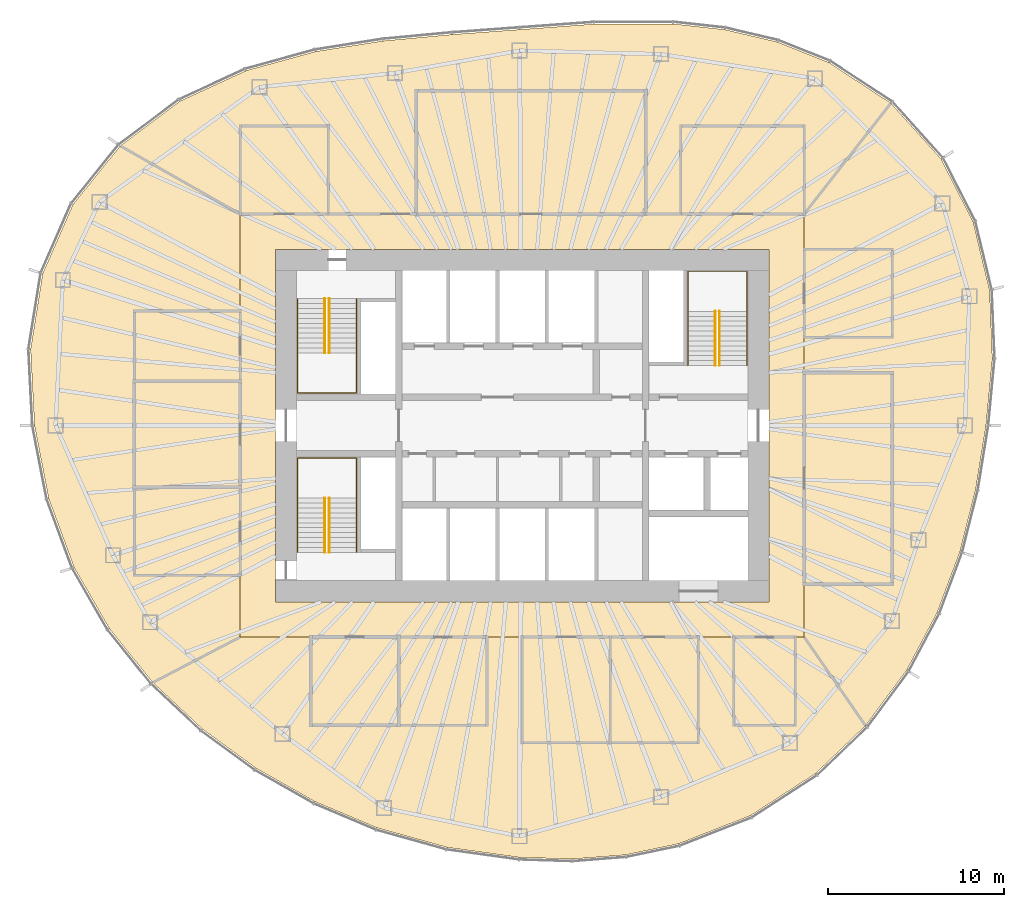
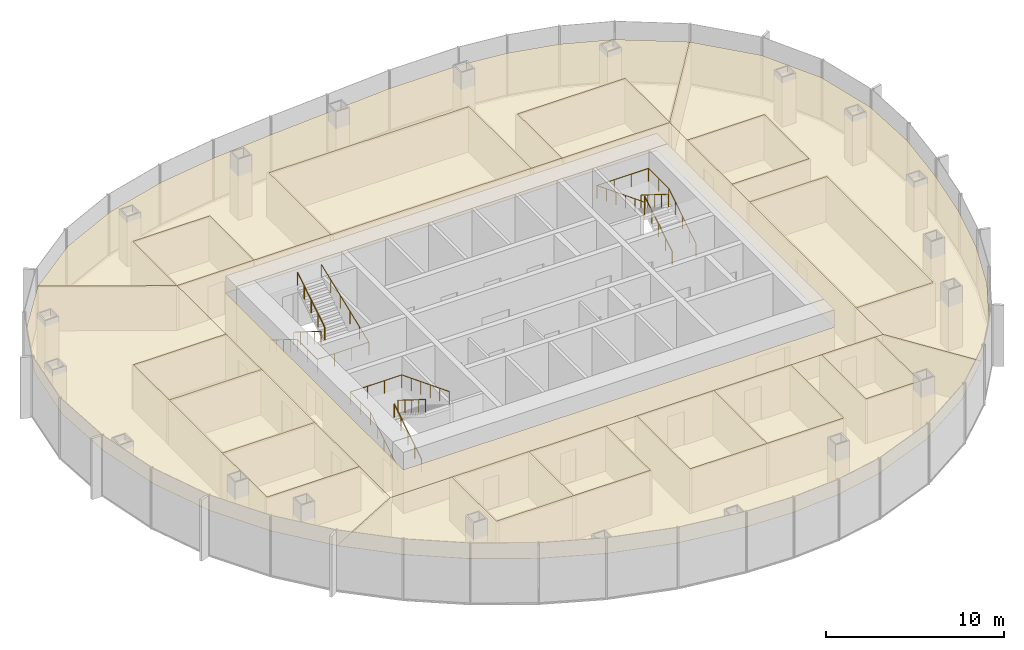
# One storey, part 11 of 11: 18 coverings, 9 railings.
"""IFC4 building model written with IfcOpenShell, lengths in metres."""

import ifcopenshell
import ifcopenshell.guid

model = None  # the IFC model being written
_history = None  # IfcOwnerHistory: only IFC2X3 demands one
_inside = {}  # id of a spatial element -> (the spatial element, [elements in it])
_under = {}  # id of a project, library or spatial element -> (it, [spatial elements below it])
_declared = {}  # id of a project -> (the project, [libraries it declares])
_typed = {}  # id of a type object -> (the type object, [elements of that type])
_made_of = {}  # id of a material, layer set ... -> (it, [elements and type objects made of it])


def new_model(schema):
    """Start an empty IFC model of exactly this schema.

    Asked for "IFC4X3", IfcOpenShell would pick the latest addendum, in which some entities
    have other attributes; the version numbers below select the first issue.
    IFC2X3 requires an IfcOwnerHistory on every rooted entity: one is made here for all.
    """
    global model, _history
    if schema == "IFC4X3":
        model = ifcopenshell.file(schema_version=(4, 3, 0, 0))
    else:
        model = ifcopenshell.file(schema=schema)
    _inside.clear()
    _under.clear()
    _declared.clear()
    _typed.clear()
    _made_of.clear()
    _history = None
    if model.schema == "IFC2X3":
        org = make("IfcOrganization", Name="unknown")
        user = make(
            "IfcPersonAndOrganization",
            ThePerson=make("IfcPerson", FamilyName="unknown"),
            TheOrganization=org,
        )
        app = make(
            "IfcApplication",
            ApplicationDeveloper=org,
            Version="unknown",
            ApplicationFullName="unknown",
            ApplicationIdentifier="unknown",
        )
        _history = make(
            "IfcOwnerHistory",
            OwningUser=user,
            OwningApplication=app,
            ChangeAction="ADDED",
            CreationDate=0,
        )
    return model


def make(cls, **values):
    """One entity of the class cls with the attributes given. An attribute that is None is left unset."""
    return model.create_entity(
        cls, **{name: value for name, value in values.items() if value is not None}
    )


def rooted(cls, **values):
    """An entity with a GlobalId (a new one), such as an element, a storey or a relation."""
    return make(cls, GlobalId=ifcopenshell.guid.new(), OwnerHistory=_history, **values)


def si_unit(unit_type, name, prefix=None):
    """IfcSIUnit, for example si_unit("LENGTHUNIT", "METRE", prefix="MILLI")."""
    return make("IfcSIUnit", UnitType=unit_type, Prefix=prefix, Name=name)


def assignment(units):
    """IfcUnitAssignment: the units of a project."""
    return None if units is None else make("IfcUnitAssignment", Units=units)


def point(xyz):
    """IfcCartesianPoint."""
    return None if xyz is None else make("IfcCartesianPoint", Coordinates=xyz)


def direction(xyz):
    """IfcDirection."""
    return None if xyz is None else make("IfcDirection", DirectionRatios=xyz)


def frame(location, z_axis=None, x_axis=None):
    """IfcAxis2Placement3D, a coordinate frame: its origin and axes. An axis left out is left unset."""
    return make(
        "IfcAxis2Placement3D",
        Location=point(location),
        Axis=direction(z_axis),
        RefDirection=direction(x_axis),
    )


def frame_2d(location, x_axis=None):
    """IfcAxis2Placement2D, a coordinate frame in the plane: its origin and x axis."""
    return make(
        "IfcAxis2Placement2D", Location=point(location), RefDirection=direction(x_axis)
    )


def origin():
    """The frame at (0, 0, 0) with its axes left unset."""
    return frame((0.0, 0.0, 0.0))


def origin_2d():
    """The frame at (0, 0) in the plane with its x axis left unset."""
    return frame_2d((0.0, 0.0))


def place(relative_to, where):
    """IfcLocalPlacement: puts the frame where relative to a parent placement (None: the world)."""
    return make(
        "IfcLocalPlacement", PlacementRelTo=relative_to, RelativePlacement=where
    )


def context(
    kind, dimensions, precision=None, world=None, true_north=None, identifier=None
):
    """IfcGeometricRepresentationContext, for example the 3D "Model" context."""
    return make(
        "IfcGeometricRepresentationContext",
        ContextIdentifier=identifier,
        ContextType=kind,
        CoordinateSpaceDimension=dimensions,
        Precision=precision,
        WorldCoordinateSystem=world,
        TrueNorth=true_north,
    )


def subcontext(parent, identifier, kind, view, scale=None):
    """IfcGeometricRepresentationSubContext, for example "Body" below "Model"."""
    return make(
        "IfcGeometricRepresentationSubContext",
        ContextIdentifier=identifier,
        ContextType=kind,
        ParentContext=parent,
        TargetScale=scale,
        TargetView=view,
    )


def project(units=None, contexts=None):
    """IfcProject with its units and contexts."""
    return rooted(
        "IfcProject",
        Name="project",
        RepresentationContexts=contexts,
        UnitsInContext=assignment(units),
    )


def spatial(cls, under=None, at=None, **own):
    """A site, building, storey or space (cls), placed at a placement, below another one or the project."""
    s = rooted(cls, ObjectPlacement=at, **own)
    if under is not None:
        _under.setdefault(under.id(), (under, []))[1].append(s)
    return s


def polyline(points):
    """IfcPolyline through the points."""
    return make("IfcPolyline", Points=[point(p) for p in points])


def profile(cls, at=None, kind="AREA", **sizes):
    """A parametric profile (cls). Its sizes go by their IFC names, for example OverallWidth=200.0."""
    return make(cls, ProfileType=kind, Position=at, **sizes)


def circle(**sizes):
    """IfcCircleProfileDef."""
    return profile("IfcCircleProfileDef", **sizes)


def outline(outer, holes=None, kind="AREA"):
    """IfcArbitraryClosedProfileDef: a profile drawn as a closed curve; with holes, ...WithVoids."""
    if holes is None:
        return make("IfcArbitraryClosedProfileDef", ProfileType=kind, OuterCurve=outer)
    return make(
        "IfcArbitraryProfileDefWithVoids",
        ProfileType=kind,
        OuterCurve=outer,
        InnerCurves=holes,
    )


def extrude(swept, where, along, depth):
    """IfcExtrudedAreaSolid: the profile swept, set in the frame where, extruded along a direction by depth."""
    return make(
        "IfcExtrudedAreaSolid",
        SweptArea=swept,
        Position=where,
        ExtrudedDirection=direction(along),
        Depth=depth,
    )


def shape(context_of_items, identifier, shape_type, items):
    """IfcShapeRepresentation: the items that make up one representation, for example the "Body"."""
    return make(
        "IfcShapeRepresentation",
        ContextOfItems=context_of_items,
        RepresentationIdentifier=identifier,
        RepresentationType=shape_type,
        Items=items,
    )


def material(Name=None, Category=None):
    """IfcMaterial."""
    return make("IfcMaterial", Name=Name, Category=Category)


def layer(
    of_material, thickness, ventilated=None, Name=None, Category=None, Priority=None
):
    """IfcMaterialLayer: one layer of a wall or slab, of a material (None: an air gap)."""
    return make(
        "IfcMaterialLayer",
        Material=of_material,
        LayerThickness=thickness,
        IsVentilated=ventilated,
        Name=Name,
        Category=Category,
        Priority=Priority,
    )


def layer_set(layers, Name=None):
    """IfcMaterialLayerSet."""
    return make("IfcMaterialLayerSet", MaterialLayers=layers, LayerSetName=Name)


def made_of(thing, what):
    """Note that an element or type object is made of a material, layer set ...; save() writes the relation."""
    if what is not None:
        _made_of.setdefault(what.id(), (what, []))[1].append(thing)
    return thing


def type_object(cls, material=None, **own):
    """A type object (cls), such as IfcWallType, which elements share."""
    return made_of(rooted(cls, **own), material)


def element(
    cls,
    number,
    at=None,
    inside=None,
    cuts=None,
    type_object=None,
    material=None,
    context=None,
    identifier="Body",
    shape_type=None,
    held_by="IfcProductDefinitionShape",
    body=None,
    shapes=None,
    **own,
):
    """One element of the class cls, such as IfcWall. Its Tag is "e" and its number.

    at: its placement. inside: the storey or other place that contains it. cuts: it is an
    opening in that element (IfcRelVoidsElement). A single representation is given by context,
    identifier, shape_type and body (its items); several are given by shapes. held_by: the class
    of the entity that holds the representations. save() writes the other relations.
    """
    e = rooted(cls, Tag="e%d" % number, ObjectPlacement=at, **own)
    if body is not None:
        shapes = [shape(context, identifier, shape_type, body)]
    if shapes is not None:
        e.Representation = make(held_by, Representations=shapes)
    if inside is not None:
        _inside.setdefault(inside.id(), (inside, []))[1].append(e)
    if cuts is not None:
        rooted(
            "IfcRelVoidsElement", RelatingBuildingElement=cuts, RelatedOpeningElement=e
        )
    if type_object is not None:
        _typed.setdefault(type_object.id(), (type_object, []))[1].append(e)
    return made_of(e, material)


def aggregate(whole, parts):
    """IfcRelAggregates: a whole, such as a stair, and the parts it consists of."""
    return rooted("IfcRelAggregates", RelatingObject=whole, RelatedObjects=parts)


def save(model, path):
    """Write the relations noted so far, then the file.

    IfcRelAggregates (storeys below a building ...), IfcRelContainedInSpatialStructure (elements
    in a storey), IfcRelDefinesByType, IfcRelAssociatesMaterial and IfcRelDeclares: one each for
    every whole, place, type object, material and project.
    """
    for whole, parts in _under.values():
        aggregate(whole, parts)
    for where, things in _inside.values():
        rooted(
            "IfcRelContainedInSpatialStructure",
            RelatedElements=things,
            RelatingStructure=where,
        )
    for kind, things in _typed.values():
        rooted("IfcRelDefinesByType", RelatedObjects=things, RelatingType=kind)
    for what, things in _made_of.values():
        rooted("IfcRelAssociatesMaterial", RelatedObjects=things, RelatingMaterial=what)
    for by, libraries in _declared.values():
        rooted("IfcRelDeclares", RelatingContext=by, RelatedDefinitions=libraries)
    model.write(path)


model = new_model("IFC4")

# Units and contexts
model_context = context("Model", 3, precision=1e-05, world=origin(), true_north=direction((0.0, 1.0)))
body_context = subcontext(model_context, "Body", "Model", "MODEL_VIEW")
ifc_project = project(units=[si_unit("LENGTHUNIT", "METRE"), si_unit("AREAUNIT", "SQUARE_METRE"), si_unit("VOLUMEUNIT", "CUBIC_METRE"), si_unit("PLANEANGLEUNIT", "RADIAN"), si_unit("MASSUNIT", "GRAM", prefix="KILO")], contexts=[model_context])

# Site, building, storey
site_placement = place(None, origin())
site = spatial("IfcSite", under=ifc_project, at=site_placement, CompositionType="ELEMENT")
building_placement = place(site_placement, origin())
building = spatial("IfcBuilding", under=site, at=building_placement, Name="Ghaith Harvest Tower", CompositionType="ELEMENT")
storey_placement = place(building_placement, frame((0.0, 0.0, 262.0)))
storey = spatial("IfcBuildingStorey", under=building, at=storey_placement, Name="L58", CompositionType="ELEMENT", Elevation=262.0)

# Coverings
ifc_material_1 = material(Name="Mineral fibre ceiling tile", Category="gypsum")
ifc_layer = layer(ifc_material_1, 0.02001953125)
ifc_layer_set = layer_set([ifc_layer], Name="CEILING C1")
covering_type = type_object("IfcCoveringType", Name="CEILING C1", PredefinedType="CEILING", material=ifc_layer_set)
covering_1_placement = place(storey_placement, frame((0.0, 0.0, 3.0)))
element("IfcCovering", 1, at=covering_1_placement, inside=storey, type_object=covering_type, Name="Ceiling L58-01", PredefinedType="CEILING", context=body_context, shape_type="SweptSolid", body=[
    extrude(outline(polyline([(-6.0, 12.0), (7.0, 12.0), (7.0, 19.0), (-6.0, 19.0), (-6.0, 12.0)])), origin(), (0.0, 0.0, 1.0), 0.02001953125),
])
covering_2_placement = place(storey_placement, frame((0.0, 0.0, 3.0)))
element("IfcCovering", 2, at=covering_2_placement, inside=storey, type_object=covering_type, Name="Ceiling L58-02", PredefinedType="CEILING", context=body_context, shape_type="SweptSolid", body=[
    extrude(outline(polyline([(9.0, 12.0), (16.0, 12.0), (16.0, 17.0), (9.0, 17.0), (9.0, 12.0)])), origin(), (0.0, 0.0, 1.0), 0.02001953125),
])
covering_3_placement = place(storey_placement, frame((0.0, 0.0, 3.0)))
element("IfcCovering", 3, at=covering_3_placement, inside=storey, type_object=covering_type, Name="Ceiling L58-03", PredefinedType="CEILING", context=body_context, shape_type="SweptSolid", body=[
    extrude(outline(polyline([(-16.0, 12.0), (-11.0, 12.0), (-11.0, 17.0), (-16.0, 17.0), (-16.0, 12.0)])), origin(), (0.0, 0.0, 1.0), 0.02001953125),
])
covering_4_placement = place(storey_placement, frame((0.0, 0.0, 3.0)))
element("IfcCovering", 4, at=covering_4_placement, inside=storey, type_object=covering_type, Name="Ceiling L58-04", PredefinedType="CEILING", context=body_context, shape_type="SweptSolid", body=[
    extrude(outline(polyline([(16.0, -9.0), (21.0, -9.0), (21.0, 3.0), (16.0, 3.0), (16.0, -9.0)])), origin(), (0.0, 0.0, 1.0), 0.02001953125),
])
covering_5_placement = place(storey_placement, frame((0.0, 0.0, 3.0)))
element("IfcCovering", 5, at=covering_5_placement, inside=storey, type_object=covering_type, Name="Ceiling L58-05", PredefinedType="CEILING", context=body_context, shape_type="SweptSolid", body=[
    extrude(outline(polyline([(-12.0, -17.0), (-7.0, -17.0), (-7.0, -12.0), (-12.0, -12.0), (-12.0, -17.0)])), origin(), (0.0, 0.0, 1.0), 0.02001953125),
])
covering_6_placement = place(storey_placement, frame((0.0, 0.0, 3.0)))
element("IfcCovering", 6, at=covering_6_placement, inside=storey, type_object=covering_type, Name="Ceiling L58-06", PredefinedType="CEILING", context=body_context, shape_type="SweptSolid", body=[
    extrude(outline(polyline([(-7.0, -17.0), (-2.0, -17.0), (-2.0, -12.0), (-7.0, -12.0), (-7.0, -17.0)])), origin(), (0.0, 0.0, 1.0), 0.02001953125),
])
covering_7_placement = place(storey_placement, frame((0.0, 0.0, 3.0)))
element("IfcCovering", 7, at=covering_7_placement, inside=storey, type_object=covering_type, Name="Ceiling L58-07", PredefinedType="CEILING", context=body_context, shape_type="SweptSolid", body=[
    extrude(outline(polyline([(0.0, -18.0), (5.0, -18.0), (5.0, -12.0), (0.0, -12.0), (0.0, -18.0)])), origin(), (0.0, 0.0, 1.0), 0.02001953125),
])
covering_8_placement = place(storey_placement, frame((0.0, 0.0, 3.0)))
element("IfcCovering", 8, at=covering_8_placement, inside=storey, type_object=covering_type, Name="Ceiling L58-08", PredefinedType="CEILING", context=body_context, shape_type="SweptSolid", body=[
    extrude(outline(polyline([(5.0, -18.0), (10.0, -18.0), (10.0, -12.0), (5.0, -12.0), (5.0, -18.0)])), origin(), (0.0, 0.0, 1.0), 0.02001953125),
])
covering_9_placement = place(storey_placement, frame((0.0, 0.0, 3.0)))
element("IfcCovering", 9, at=covering_9_placement, inside=storey, type_object=covering_type, Name="Ceiling L58-09", PredefinedType="CEILING", context=body_context, shape_type="SweptSolid", body=[
    extrude(outline(polyline([(-22.0, -8.5), (-16.0, -8.5), (-16.0, -3.5), (-22.0, -3.5), (-22.0, -8.5)])), origin(), (0.0, 0.0, 1.0), 0.02001953125),
])
covering_10_placement = place(storey_placement, frame((0.0, 0.0, 3.0)))
element("IfcCovering", 10, at=covering_10_placement, inside=storey, type_object=covering_type, Name="Ceiling L58-10", PredefinedType="CEILING", context=body_context, shape_type="SweptSolid", body=[
    extrude(outline(polyline([(-22.0, -3.5), (-16.0, -3.5), (-16.0, 2.5), (-22.0, 2.5), (-22.0, -3.5)])), origin(), (0.0, 0.0, 1.0), 0.02001953125),
])
covering_11_placement = place(storey_placement, frame((0.0, 0.0, 3.0)))
element("IfcCovering", 11, at=covering_11_placement, inside=storey, type_object=covering_type, Name="Ceiling L58-11", PredefinedType="CEILING", context=body_context, shape_type="SweptSolid", body=[
    extrude(outline(polyline([(-22.0, 2.5), (-16.0, 2.5), (-16.0, 6.5), (-22.0, 6.5), (-22.0, 2.5)])), origin(), (0.0, 0.0, 1.0), 0.02001953125),
])
covering_12_placement = place(storey_placement, frame((0.0, 0.0, 3.0)))
element("IfcCovering", 12, at=covering_12_placement, inside=storey, type_object=covering_type, Name="Ceiling L58-12", PredefinedType="CEILING", context=body_context, shape_type="SweptSolid", body=[
    extrude(outline(polyline([(12.0, -17.0), (15.5, -17.0), (15.5, -12.0), (12.0, -12.0), (12.0, -17.0)])), origin(), (0.0, 0.0, 1.0), 0.02001953125),
])
covering_13_placement = place(storey_placement, frame((0.0, 0.0, 3.0)))
element("IfcCovering", 13, at=covering_13_placement, inside=storey, type_object=covering_type, Name="Ceiling L58-13", PredefinedType="CEILING", context=body_context, shape_type="SweptSolid", body=[
    extrude(outline(polyline([(16.0, 5.0), (21.0, 5.0), (21.0, 10.0), (16.0, 10.0), (16.0, 5.0)])), origin(), (0.0, 0.0, 1.0), 0.02001953125),
])
covering_14_placement = place(storey_placement, frame((0.0, 0.0, 3.0)))
element("IfcCovering", 14, at=covering_14_placement, inside=storey, type_object=covering_type, Name="Ceiling L58-C1", PredefinedType="CEILING", context=body_context, shape_type="SweptSolid", body=[
    extrude(outline(polyline([(-16.0, 12.0), (16.0, 12.0), (16.0, -12.0), (-16.0, -12.0), (-16.0, 12.0)]), holes=[polyline([(-14.0, 10.0), (-14.0, -10.0), (14.0, -10.0), (14.0, 10.0), (-14.0, 10.0)])]), origin(), (0.0, 0.0, 1.0), 0.02001953125),
])
covering_15_placement = place(storey_placement, frame((0.0, 0.0, 3.0)))
element("IfcCovering", 15, at=covering_15_placement, inside=storey, type_object=covering_type, Name="Ceiling L58-N1", PredefinedType="CEILING", context=body_context, shape_type="SweptSolid", body=[
    extrude(outline(polyline([(-19.408203125, 18.41650390625), (-15.6474609375, 20.147705078125), (-11.694580078125, 21.2314453125), (-7.8837890625, 21.827880859375), (-3.963134765625, 22.192138671875), (-0.15380859375, 22.470458984375), (4.03857421875, 22.78125), (8.522216796875, 22.796875), (11.47265625, 22.47265625), (14.460693359375, 21.771484375), (17.382080078125, 20.612548828125), (20.923095703125, 18.295166015625), (16.0, 12.0), (16.0, 17.0), (9.0, 17.0), (9.0, 12.0), (7.0, 12.0), (7.0, 19.0), (-6.0, 19.0), (-6.0, 12.0), (-11.0, 12.0), (-11.0, 17.0), (-16.0, 17.0), (-16.0, 12.0), (-22.809814453125, 15.87109375), (-19.408203125, 18.41650390625)])), origin(), (0.0, 0.0, 1.0), 0.02001953125),
])
covering_16_placement = place(storey_placement, frame((0.0, 0.0, 3.0)))
element("IfcCovering", 16, at=covering_16_placement, inside=storey, type_object=covering_type, Name="Ceiling L58-E1", PredefinedType="CEILING", context=body_context, shape_type="SweptSolid", body=[
    extrude(outline(polyline([(23.77294921875, 15.12939453125), (25.597900390625, 11.55615234375), (26.531005859375, 7.668212890625), (26.685791015625, 3.779052734375), (26.324951171875, 0.0), (25.734375, -3.644287109375), (24.840576171875, -7.179443359375), (23.548828125, -10.631103515625), (21.821533203125, -13.887451171875), (19.48388671875, -17.036865234375), (16.0, -12.0), (16.0, -9.0), (21.0, -9.0), (21.0, 3.0), (16.0, 3.0), (16.0, 5.0), (21.0, 5.0), (21.0, 10.0), (16.0, 10.0), (16.0, 12.0), (20.923095703125, 18.295166015625), (23.77294921875, 15.12939453125)])), origin(), (0.0, 0.0, 1.0), 0.02001953125),
])
covering_17_placement = place(storey_placement, frame((0.0, 0.0, 3.0)))
element("IfcCovering", 17, at=covering_17_placement, inside=storey, type_object=covering_type, Name="Ceiling L58-S1", PredefinedType="CEILING", context=body_context, shape_type="SweptSolid", body=[
    extrude(outline(polyline([(-18.15087890625, -17.223388671875), (-20.963134765625, -14.586181640625), (-16.0, -12.0), (-12.0, -12.0), (-12.0, -17.0), (-2.0, -17.0), (-2.0, -12.0), (0.0, -12.0), (0.0, -18.0), (10.0, -18.0), (10.0, -12.0), (12.0, -12.0), (12.0, -17.0), (15.5, -17.0), (15.5, -12.0), (16.0, -12.0), (19.48388671875, -17.036865234375), (16.651611328125, -19.746337890625), (12.949462890625, -22.1435546875), (8.8740234375, -23.73779296875), (5.865234375, -24.3662109375), (2.833984375, -24.602294921875), (-0.167724609375, -24.505126953125), (-4.27490234375, -23.9375), (-8.2451171875, -22.82861328125), (-11.75732421875, -21.345703125), (-15.10400390625, -19.447998046875), (-18.15087890625, -17.223388671875)])), origin(), (0.0, 0.0, 1.0), 0.02001953125),
])
covering_18_placement = place(storey_placement, frame((0.0, 0.0, 3.0)))
element("IfcCovering", 18, at=covering_18_placement, inside=storey, type_object=covering_type, Name="Ceiling L58-W1", PredefinedType="CEILING", context=body_context, shape_type="SweptSolid", body=[
    extrude(outline(polyline([(-23.425537109375, -11.530517578125), (-25.424072265625, -8.057373046875), (-26.86669921875, -4.155517578125), (-27.675048828125, 0.0), (-27.897216796875, 4.314697265625), (-27.211181640625, 8.623779296875), (-25.491943359375, 12.547607421875), (-22.809814453125, 15.87109375), (-16.0, 12.0), (-16.0, 6.5), (-22.0, 6.5), (-22.0, -8.5), (-16.0, -8.5), (-16.0, -12.0), (-20.963134765625, -14.586181640625), (-23.425537109375, -11.530517578125)])), origin(), (0.0, 0.0, 1.0), 0.02001953125),
])

# Railings
ifc_material_2 = material(Name="Steel, black powder-coated", Category="steel")
railing_type = type_object("IfcRailingType", Name="HANDRAIL HR1", PredefinedType="HANDRAIL", material=ifc_material_2)
railing_1_placement = place(storey_placement, frame((-11.199951171875, 7.199951171875, 0.175048828125)))
element("IfcRailing", 19, at=railing_1_placement, inside=storey, type_object=railing_type, Name="Handrail HR1 stair ST1 L58 flight 1 inner", PredefinedType="HANDRAIL", context=body_context, shape_type="SweptSolid", body=[
    extrude(circle(Radius=0.02392578125, at=origin_2d()), frame((0.0, 0.0, 0.8759765625), z_axis=(0.0, -0.847979421464, 0.530029150871), x_axis=(1.0, 0.0, 0.0)), (0.0, 0.0, 1.0), 3.632080078125),
    extrude(circle(Radius=0.02099609375, at=origin_2d()), origin(), (0.0, 0.0, 1.0), 0.851806640625),
    extrude(circle(Radius=0.02099609375, at=origin_2d()), frame((0.0, -0.77001953125, 0.481201171875)), (0.0, 0.0, 1.0), 0.851806640625),
    extrude(circle(Radius=0.02099609375, at=origin_2d()), frame((0.0, -1.5400390625, 0.96240234375)), (0.0, 0.0, 1.0), 0.851806640625),
    extrude(circle(Radius=0.02099609375, at=origin_2d()), frame((0.0, -2.309814453125, 1.44384765625)), (0.0, 0.0, 1.0), 0.851806640625),
    extrude(circle(Radius=0.02099609375, at=origin_2d()), frame((0.0, -3.079833984375, 1.925048828125)), (0.0, 0.0, 1.0), 0.851806640625),
])
railing_2_placement = place(storey_placement, frame((-10.949951171875, 4.1201171875, 2.27490234375)))
element("IfcRailing", 20, at=railing_2_placement, inside=storey, type_object=railing_type, Name="Handrail HR1 stair ST1 L58 flight 2 inner", PredefinedType="HANDRAIL", context=body_context, shape_type="SweptSolid", body=[
    extrude(circle(Radius=0.02392578125, at=origin_2d()), frame((0.0, 0.0, 0.8759765625), z_axis=(0.0, 0.847979421464, 0.530029150871), x_axis=(-1.0, 0.0, 0.0)), (0.0, 0.0, 1.0), 3.632080078125),
    extrude(circle(Radius=0.02099609375, at=origin_2d()), origin(), (0.0, 0.0, 1.0), 0.851806640625),
    extrude(circle(Radius=0.02099609375, at=origin_2d()), frame((0.0, 0.77001953125, 0.481201171875)), (0.0, 0.0, 1.0), 0.851806640625),
    extrude(circle(Radius=0.02099609375, at=origin_2d()), frame((0.0, 1.5400390625, 0.96240234375)), (0.0, 0.0, 1.0), 0.851806640625),
    extrude(circle(Radius=0.02099609375, at=origin_2d()), frame((0.0, 2.309814453125, 1.44384765625)), (0.0, 0.0, 1.0), 0.851806640625),
    extrude(circle(Radius=0.02099609375, at=origin_2d()), frame((0.0, 3.079833984375, 1.925048828125)), (0.0, 0.0, 1.0), 0.851806640625),
])
railing_3_placement = place(storey_placement, frame((-12.75, 7.199951171875, 0.175048828125)))
element("IfcRailing", 21, at=railing_3_placement, inside=storey, type_object=railing_type, Name="Handrail HR1 stair ST1 L58 wall side", PredefinedType="HANDRAIL", context=body_context, shape_type="SweptSolid", body=[
    extrude(circle(Radius=0.02392578125, at=origin_2d()), frame((0.0, 0.0, 0.8759765625), z_axis=(0.0, -0.847979421464, 0.530029150871), x_axis=(1.0, 0.0, 0.0)), (0.0, 0.0, 1.0), 3.632080078125),
    extrude(circle(Radius=0.02392578125, at=origin_2d()), frame((0.0, -3.079833984375, 2.80078125), z_axis=(0.0, -1.0, 0.0), x_axis=(1.0, 0.0, 0.0)), (0.0, 0.0, 1.0), 2.27001953125),
    extrude(circle(Radius=0.02392578125, at=origin_2d()), frame((0.0, -5.349853515625, 2.80078125), z_axis=(1.0, 0.0, 0.0), x_axis=(0.0, 1.0, 0.0)), (0.0, 0.0, 1.0), 3.35009765625),
    extrude(circle(Radius=0.02392578125, at=origin_2d()), frame((3.35009765625, -5.349853515625, 2.80078125), z_axis=(0.0, 0.930862461605, 0.365369781968), x_axis=(-1.0, 0.0, 0.0)), (0.0, 0.0, 1.0), 5.747314453125),
    extrude(circle(Radius=0.02099609375, at=origin_2d()), origin(), (0.0, 0.0, 1.0), 0.851806640625),
    extrude(circle(Radius=0.02099609375, at=origin_2d()), frame((0.0, -0.77001953125, 0.481201171875)), (0.0, 0.0, 1.0), 0.851806640625),
    extrude(circle(Radius=0.02099609375, at=origin_2d()), frame((0.0, -1.5400390625, 0.96240234375)), (0.0, 0.0, 1.0), 0.851806640625),
    extrude(circle(Radius=0.02099609375, at=origin_2d()), frame((0.0, -2.309814453125, 1.44384765625)), (0.0, 0.0, 1.0), 0.851806640625),
    extrude(circle(Radius=0.02099609375, at=origin_2d()), frame((0.0, -3.079833984375, 1.925048828125)), (0.0, 0.0, 1.0), 0.851806640625),
    extrude(circle(Radius=0.02099609375, at=origin_2d()), frame((0.0, -4.21484375, 1.925048828125)), (0.0, 0.0, 1.0), 0.851806640625),
    extrude(circle(Radius=0.02099609375, at=origin_2d()), frame((0.0, -5.349853515625, 1.925048828125)), (0.0, 0.0, 1.0), 0.851806640625),
    extrude(circle(Radius=0.02099609375, at=origin_2d()), frame((1.11669921875, -5.349853515625, 1.925048828125)), (0.0, 0.0, 1.0), 0.851806640625),
    extrude(circle(Radius=0.02099609375, at=origin_2d()), frame((2.2333984375, -5.349853515625, 1.925048828125)), (0.0, 0.0, 1.0), 0.851806640625),
    extrude(circle(Radius=0.02099609375, at=origin_2d()), frame((3.35009765625, -5.349853515625, 1.925048828125)), (0.0, 0.0, 1.0), 0.851806640625),
    extrude(circle(Radius=0.02099609375, at=origin_2d()), frame((3.35009765625, -4.27978515625, 2.344970703125)), (0.0, 0.0, 1.0), 0.851806640625),
    extrude(circle(Radius=0.02099609375, at=origin_2d()), frame((3.35009765625, -3.2099609375, 2.764892578125)), (0.0, 0.0, 1.0), 0.851806640625),
    extrude(circle(Radius=0.02099609375, at=origin_2d()), frame((3.35009765625, -2.139892578125, 3.18505859375)), (0.0, 0.0, 1.0), 0.851806640625),
    extrude(circle(Radius=0.02099609375, at=origin_2d()), frame((3.35009765625, -1.070068359375, 3.60498046875)), (0.0, 0.0, 1.0), 0.851806640625),
    extrude(circle(Radius=0.02099609375, at=origin_2d()), frame((3.35009765625, 0.0, 4.02490234375)), (0.0, 0.0, 1.0), 0.851806640625),
])
railing_4_placement = place(storey_placement, frame((-11.199951171875, -7.199951171875, 0.175048828125)))
element("IfcRailing", 22, at=railing_4_placement, inside=storey, type_object=railing_type, Name="Handrail HR1 stair ST3 L58 flight 1 inner", PredefinedType="HANDRAIL", context=body_context, shape_type="SweptSolid", body=[
    extrude(circle(Radius=0.02392578125, at=origin_2d()), frame((0.0, 0.0, 0.8759765625), z_axis=(0.0, 0.847979421464, 0.530029150871), x_axis=(-1.0, 0.0, 0.0)), (0.0, 0.0, 1.0), 3.632080078125),
    extrude(circle(Radius=0.02099609375, at=origin_2d()), origin(), (0.0, 0.0, 1.0), 0.851806640625),
    extrude(circle(Radius=0.02099609375, at=origin_2d()), frame((0.0, 0.77001953125, 0.481201171875)), (0.0, 0.0, 1.0), 0.851806640625),
    extrude(circle(Radius=0.02099609375, at=origin_2d()), frame((0.0, 1.5400390625, 0.96240234375)), (0.0, 0.0, 1.0), 0.851806640625),
    extrude(circle(Radius=0.02099609375, at=origin_2d()), frame((0.0, 2.309814453125, 1.44384765625)), (0.0, 0.0, 1.0), 0.851806640625),
    extrude(circle(Radius=0.02099609375, at=origin_2d()), frame((0.0, 3.079833984375, 1.925048828125)), (0.0, 0.0, 1.0), 0.851806640625),
])
railing_5_placement = place(storey_placement, frame((-10.949951171875, -4.1201171875, 2.27490234375)))
element("IfcRailing", 23, at=railing_5_placement, inside=storey, type_object=railing_type, Name="Handrail HR1 stair ST3 L58 flight 2 inner", PredefinedType="HANDRAIL", context=body_context, shape_type="SweptSolid", body=[
    extrude(circle(Radius=0.02392578125, at=origin_2d()), frame((0.0, 0.0, 0.8759765625), z_axis=(0.0, -0.847979421464, 0.530029150871), x_axis=(1.0, 0.0, 0.0)), (0.0, 0.0, 1.0), 3.632080078125),
    extrude(circle(Radius=0.02099609375, at=origin_2d()), origin(), (0.0, 0.0, 1.0), 0.851806640625),
    extrude(circle(Radius=0.02099609375, at=origin_2d()), frame((0.0, -0.77001953125, 0.481201171875)), (0.0, 0.0, 1.0), 0.851806640625),
    extrude(circle(Radius=0.02099609375, at=origin_2d()), frame((0.0, -1.5400390625, 0.96240234375)), (0.0, 0.0, 1.0), 0.851806640625),
    extrude(circle(Radius=0.02099609375, at=origin_2d()), frame((0.0, -2.309814453125, 1.44384765625)), (0.0, 0.0, 1.0), 0.851806640625),
    extrude(circle(Radius=0.02099609375, at=origin_2d()), frame((0.0, -3.079833984375, 1.925048828125)), (0.0, 0.0, 1.0), 0.851806640625),
])
railing_6_placement = place(storey_placement, frame((-12.75, -7.199951171875, 0.175048828125)))
element("IfcRailing", 24, at=railing_6_placement, inside=storey, type_object=railing_type, Name="Handrail HR1 stair ST3 L58 wall side", PredefinedType="HANDRAIL", context=body_context, shape_type="SweptSolid", body=[
    extrude(circle(Radius=0.02392578125, at=origin_2d()), frame((0.0, 0.0, 0.8759765625), z_axis=(0.0, 0.847979421464, 0.530029150871), x_axis=(-1.0, 0.0, 0.0)), (0.0, 0.0, 1.0), 3.632080078125),
    extrude(circle(Radius=0.02392578125, at=origin_2d()), frame((0.0, 3.079833984375, 2.80078125), z_axis=(0.0, 1.0, 0.0), x_axis=(-1.0, 0.0, 0.0)), (0.0, 0.0, 1.0), 2.27001953125),
    extrude(circle(Radius=0.02392578125, at=origin_2d()), frame((0.0, 5.349853515625, 2.80078125), z_axis=(1.0, 0.0, 0.0), x_axis=(0.0, 1.0, 0.0)), (0.0, 0.0, 1.0), 3.35009765625),
    extrude(circle(Radius=0.02392578125, at=origin_2d()), frame((3.35009765625, 5.349853515625, 2.80078125), z_axis=(0.0, -0.930862461605, 0.365369781968), x_axis=(1.0, 0.0, 0.0)), (0.0, 0.0, 1.0), 5.747314453125),
    extrude(circle(Radius=0.02099609375, at=origin_2d()), origin(), (0.0, 0.0, 1.0), 0.851806640625),
    extrude(circle(Radius=0.02099609375, at=origin_2d()), frame((0.0, 0.77001953125, 0.481201171875)), (0.0, 0.0, 1.0), 0.851806640625),
    extrude(circle(Radius=0.02099609375, at=origin_2d()), frame((0.0, 1.5400390625, 0.96240234375)), (0.0, 0.0, 1.0), 0.851806640625),
    extrude(circle(Radius=0.02099609375, at=origin_2d()), frame((0.0, 2.309814453125, 1.44384765625)), (0.0, 0.0, 1.0), 0.851806640625),
    extrude(circle(Radius=0.02099609375, at=origin_2d()), frame((0.0, 3.079833984375, 1.925048828125)), (0.0, 0.0, 1.0), 0.851806640625),
    extrude(circle(Radius=0.02099609375, at=origin_2d()), frame((0.0, 4.21484375, 1.925048828125)), (0.0, 0.0, 1.0), 0.851806640625),
    extrude(circle(Radius=0.02099609375, at=origin_2d()), frame((0.0, 5.349853515625, 1.925048828125)), (0.0, 0.0, 1.0), 0.851806640625),
    extrude(circle(Radius=0.02099609375, at=origin_2d()), frame((1.11669921875, 5.349853515625, 1.925048828125)), (0.0, 0.0, 1.0), 0.851806640625),
    extrude(circle(Radius=0.02099609375, at=origin_2d()), frame((2.2333984375, 5.349853515625, 1.925048828125)), (0.0, 0.0, 1.0), 0.851806640625),
    extrude(circle(Radius=0.02099609375, at=origin_2d()), frame((3.35009765625, 5.349853515625, 1.925048828125)), (0.0, 0.0, 1.0), 0.851806640625),
    extrude(circle(Radius=0.02099609375, at=origin_2d()), frame((3.35009765625, 4.27978515625, 2.344970703125)), (0.0, 0.0, 1.0), 0.851806640625),
    extrude(circle(Radius=0.02099609375, at=origin_2d()), frame((3.35009765625, 3.2099609375, 2.764892578125)), (0.0, 0.0, 1.0), 0.851806640625),
    extrude(circle(Radius=0.02099609375, at=origin_2d()), frame((3.35009765625, 2.139892578125, 3.18505859375)), (0.0, 0.0, 1.0), 0.851806640625),
    extrude(circle(Radius=0.02099609375, at=origin_2d()), frame((3.35009765625, 1.070068359375, 3.60498046875)), (0.0, 0.0, 1.0), 0.851806640625),
    extrude(circle(Radius=0.02099609375, at=origin_2d()), frame((3.35009765625, 0.0, 4.02490234375)), (0.0, 0.0, 1.0), 0.851806640625),
])
railing_7_placement = place(storey_placement, frame((11.199951171875, 3.39990234375, 0.175048828125)))
element("IfcRailing", 25, at=railing_7_placement, inside=storey, type_object=railing_type, Name="Handrail HR1 stair ST2 L58 flight 1 inner", PredefinedType="HANDRAIL", context=body_context, shape_type="SweptSolid", body=[
    extrude(circle(Radius=0.02392578125, at=origin_2d()), frame((0.0, 0.0, 0.8759765625), z_axis=(0.0, 0.847998304005, 0.529998940003), x_axis=(-1.0, 0.0, 0.0)), (0.0, 0.0, 1.0), 3.632080078125),
    extrude(circle(Radius=0.02099609375, at=origin_2d()), origin(), (0.0, 0.0, 1.0), 0.851806640625),
    extrude(circle(Radius=0.02099609375, at=origin_2d()), frame((0.0, 0.77001953125, 0.481201171875)), (0.0, 0.0, 1.0), 0.851806640625),
    extrude(circle(Radius=0.02099609375, at=origin_2d()), frame((0.0, 1.5400390625, 0.96240234375)), (0.0, 0.0, 1.0), 0.851806640625),
    extrude(circle(Radius=0.02099609375, at=origin_2d()), frame((0.0, 2.31005859375, 1.44384765625)), (0.0, 0.0, 1.0), 0.851806640625),
    extrude(circle(Radius=0.02099609375, at=origin_2d()), frame((0.0, 3.080078125, 1.925048828125)), (0.0, 0.0, 1.0), 0.851806640625),
])
railing_8_placement = place(storey_placement, frame((10.949951171875, 6.47998046875, 2.27490234375)))
element("IfcRailing", 26, at=railing_8_placement, inside=storey, type_object=railing_type, Name="Handrail HR1 stair ST2 L58 flight 2 inner", PredefinedType="HANDRAIL", context=body_context, shape_type="SweptSolid", body=[
    extrude(circle(Radius=0.02392578125, at=origin_2d()), frame((0.0, 0.0, 0.8759765625), z_axis=(0.0, -0.847998304005, 0.529998940003), x_axis=(1.0, 0.0, 0.0)), (0.0, 0.0, 1.0), 3.632080078125),
    extrude(circle(Radius=0.02099609375, at=origin_2d()), origin(), (0.0, 0.0, 1.0), 0.851806640625),
    extrude(circle(Radius=0.02099609375, at=origin_2d()), frame((0.0, -0.77001953125, 0.481201171875)), (0.0, 0.0, 1.0), 0.851806640625),
    extrude(circle(Radius=0.02099609375, at=origin_2d()), frame((0.0, -1.5400390625, 0.96240234375)), (0.0, 0.0, 1.0), 0.851806640625),
    extrude(circle(Radius=0.02099609375, at=origin_2d()), frame((0.0, -2.31005859375, 1.44384765625)), (0.0, 0.0, 1.0), 0.851806640625),
    extrude(circle(Radius=0.02099609375, at=origin_2d()), frame((0.0, -3.080078125, 1.925048828125)), (0.0, 0.0, 1.0), 0.851806640625),
])
railing_9_placement = place(storey_placement, frame((12.75, 3.39990234375, 0.175048828125)))
element("IfcRailing", 27, at=railing_9_placement, inside=storey, type_object=railing_type, Name="Handrail HR1 stair ST2 L58 wall side", PredefinedType="HANDRAIL", context=body_context, shape_type="SweptSolid", body=[
    extrude(circle(Radius=0.02392578125, at=origin_2d()), frame((0.0, 0.0, 0.8759765625), z_axis=(0.0, 0.847998304005, 0.529998940003), x_axis=(-1.0, 0.0, 0.0)), (0.0, 0.0, 1.0), 3.632080078125),
    extrude(circle(Radius=0.02392578125, at=origin_2d()), frame((0.0, 3.080078125, 2.80078125), z_axis=(0.0, 1.0, 0.0), x_axis=(-1.0, 0.0, 0.0)), (0.0, 0.0, 1.0), 2.27001953125),
    extrude(circle(Radius=0.02392578125, at=origin_2d()), frame((0.0, 5.35009765625, 2.80078125), z_axis=(-1.0, 0.0, 0.0), x_axis=(0.0, -1.0, 0.0)), (0.0, 0.0, 1.0), 3.35009765625),
    extrude(circle(Radius=0.02392578125, at=origin_2d()), frame((-3.35009765625, 5.35009765625, 2.80078125), z_axis=(0.0, -0.930868132128, 0.365355334692), x_axis=(1.0, 0.0, 0.0)), (0.0, 0.0, 1.0), 5.747314453125),
    extrude(circle(Radius=0.02099609375, at=origin_2d()), origin(), (0.0, 0.0, 1.0), 0.851806640625),
    extrude(circle(Radius=0.02099609375, at=origin_2d()), frame((0.0, 0.77001953125, 0.481201171875)), (0.0, 0.0, 1.0), 0.851806640625),
    extrude(circle(Radius=0.02099609375, at=origin_2d()), frame((0.0, 1.5400390625, 0.96240234375)), (0.0, 0.0, 1.0), 0.851806640625),
    extrude(circle(Radius=0.02099609375, at=origin_2d()), frame((0.0, 2.31005859375, 1.44384765625)), (0.0, 0.0, 1.0), 0.851806640625),
    extrude(circle(Radius=0.02099609375, at=origin_2d()), frame((0.0, 3.080078125, 1.925048828125)), (0.0, 0.0, 1.0), 0.851806640625),
    extrude(circle(Radius=0.02099609375, at=origin_2d()), frame((0.0, 4.215087890625, 1.925048828125)), (0.0, 0.0, 1.0), 0.851806640625),
    extrude(circle(Radius=0.02099609375, at=origin_2d()), frame((0.0, 5.35009765625, 1.925048828125)), (0.0, 0.0, 1.0), 0.851806640625),
    extrude(circle(Radius=0.02099609375, at=origin_2d()), frame((-1.11669921875, 5.35009765625, 1.925048828125)), (0.0, 0.0, 1.0), 0.851806640625),
    extrude(circle(Radius=0.02099609375, at=origin_2d()), frame((-2.2333984375, 5.35009765625, 1.925048828125)), (0.0, 0.0, 1.0), 0.851806640625),
    extrude(circle(Radius=0.02099609375, at=origin_2d()), frame((-3.35009765625, 5.35009765625, 1.925048828125)), (0.0, 0.0, 1.0), 0.851806640625),
    extrude(circle(Radius=0.02099609375, at=origin_2d()), frame((-3.35009765625, 4.280029296875, 2.344970703125)), (0.0, 0.0, 1.0), 0.851806640625),
    extrude(circle(Radius=0.02099609375, at=origin_2d()), frame((-3.35009765625, 3.2099609375, 2.764892578125)), (0.0, 0.0, 1.0), 0.851806640625),
    extrude(circle(Radius=0.02099609375, at=origin_2d()), frame((-3.35009765625, 2.14013671875, 3.18505859375)), (0.0, 0.0, 1.0), 0.851806640625),
    extrude(circle(Radius=0.02099609375, at=origin_2d()), frame((-3.35009765625, 1.070068359375, 3.60498046875)), (0.0, 0.0, 1.0), 0.851806640625),
    extrude(circle(Radius=0.02099609375, at=origin_2d()), frame((-3.35009765625, 0.0, 4.02490234375)), (0.0, 0.0, 1.0), 0.851806640625),
])

save(model, "model.ifc")
